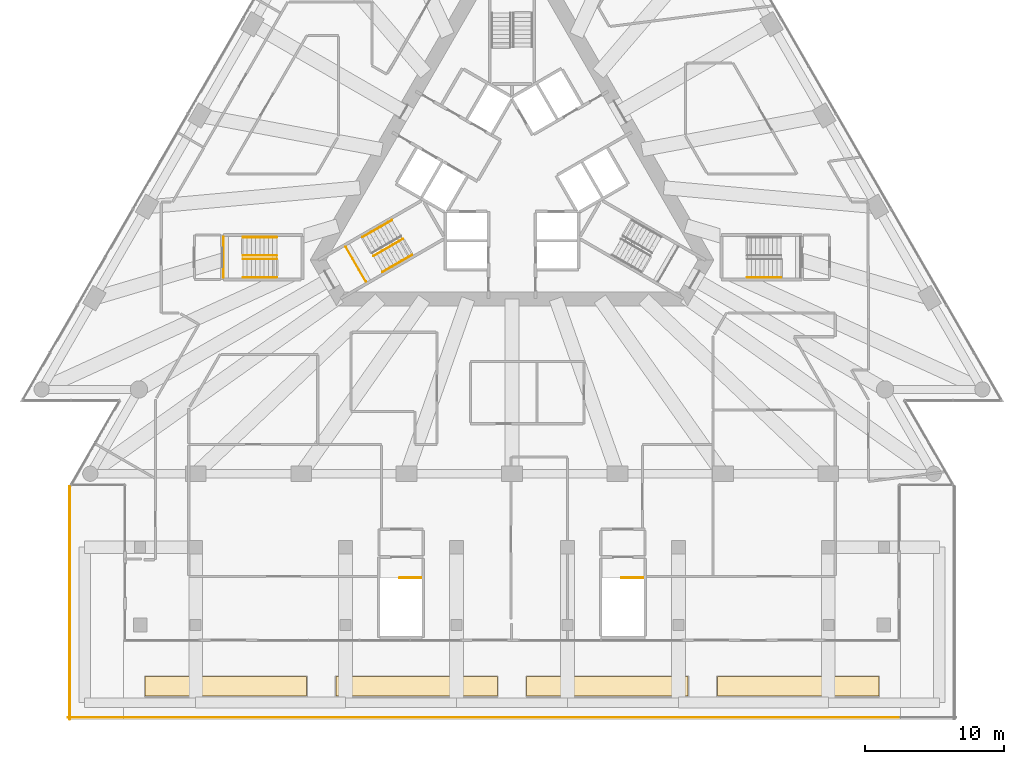
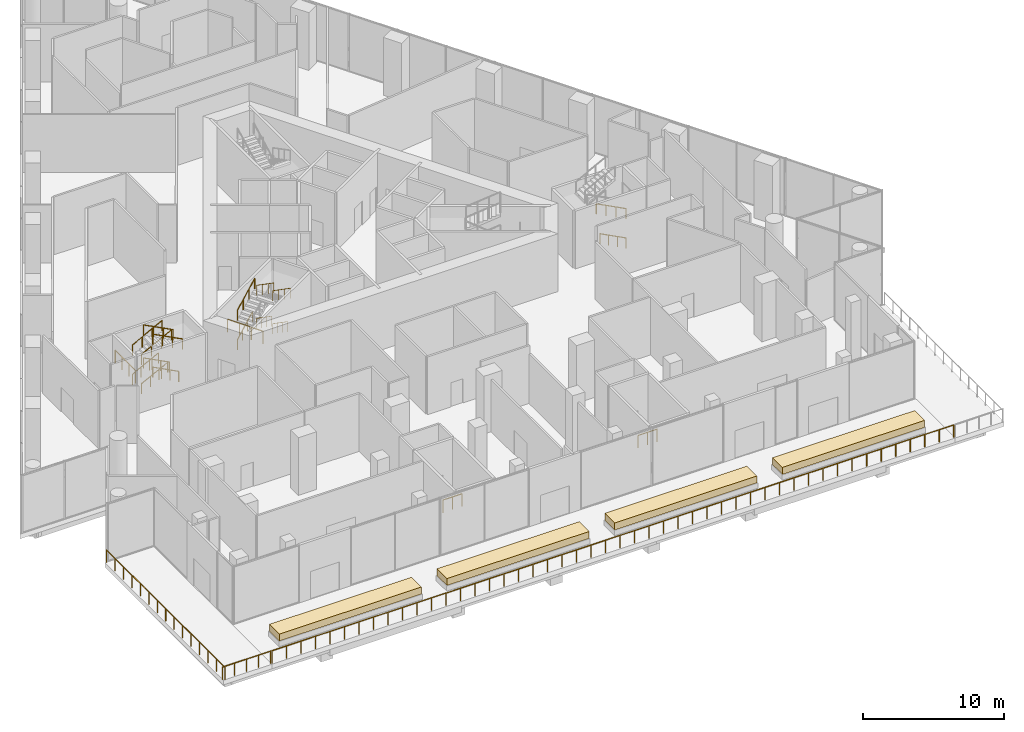
# One storey, part 28 of 29: 23 railings, 4 coverings, 3 elements without a shape of their own.
"""IFC4 building model written with IfcOpenShell, lengths in metres."""

from ifc_helpers import new_model, si_unit, direction, frame, origin, origin_2d, place, context, subcontext, project, spatial, polyline, circle, outline, extrude, material, layer, layer_set, type_object, element, aggregate, save


model = new_model("IFC4")

# Units and contexts
model_context = context("Model", 3, precision=1e-05, world=origin(), true_north=direction((0.0, 1.0)))
body_context = subcontext(model_context, "Body", "Model", "MODEL_VIEW")
ifc_project = project(units=[si_unit("LENGTHUNIT", "METRE"), si_unit("AREAUNIT", "SQUARE_METRE"), si_unit("VOLUMEUNIT", "CUBIC_METRE"), si_unit("PLANEANGLEUNIT", "RADIAN"), si_unit("MASSUNIT", "GRAM", prefix="KILO")], contexts=[model_context])

# Site, building, storey
site_placement = place(None, origin())
site = spatial("IfcSite", under=ifc_project, at=site_placement, CompositionType="ELEMENT")
building_placement = place(site_placement, origin())
building = spatial("IfcBuilding", under=site, at=building_placement, Name="Triada Interchange Tower", CompositionType="ELEMENT")
storey_placement = place(building_placement, frame((0.0, 0.0, 19.89990234375)))
storey = spatial("IfcBuildingStorey", under=building, at=storey_placement, Name="L03", CompositionType="ELEMENT", Elevation=19.89990234375)

# Coverings
ifc_material_1 = material(Name="Planting soil")
ifc_layer = layer(ifc_material_1, 0.60009765625)
ifc_layer_set = layer_set([ifc_layer], Name="Planting bed 600")
covering_type = type_object("IfcCoveringType", Name="Planting bed 600", PredefinedType="FLOORING", material=ifc_layer_set)
covering_1_placement = place(storey_placement, frame((0.0, 0.0, 0.4501953125)))
element("IfcCovering", 1, at=covering_1_placement, inside=storey, type_object=covering_type, Name="Planting bed PLANTER L03 12", PredefinedType="FLOORING", context=body_context, shape_type="SweptSolid", body=[
    extrude(outline(polyline([(-26.449951171875, -37.6298828125), (-14.800048828125, -37.6298828125), (-14.800048828125, -36.22998046875), (-26.449951171875, -36.22998046875), (-26.449951171875, -37.6298828125)])), origin(), (0.0, 0.0, 1.0), 0.599853515625),
])
covering_2_placement = place(storey_placement, frame((0.0, 0.0, 0.4501953125)))
element("IfcCovering", 2, at=covering_2_placement, inside=storey, type_object=covering_type, Name="Planting bed PLANTER L03 13", PredefinedType="FLOORING", context=body_context, shape_type="SweptSolid", body=[
    extrude(outline(polyline([(-12.699951171875, -37.6298828125), (-1.050048828125, -37.6298828125), (-1.050048828125, -36.22998046875), (-12.699951171875, -36.22998046875), (-12.699951171875, -37.6298828125)])), origin(), (0.0, 0.0, 1.0), 0.599853515625),
])
covering_3_placement = place(storey_placement, frame((0.0, 0.0, 0.4501953125)))
element("IfcCovering", 3, at=covering_3_placement, inside=storey, type_object=covering_type, Name="Planting bed PLANTER L03 14", PredefinedType="FLOORING", context=body_context, shape_type="SweptSolid", body=[
    extrude(outline(polyline([(1.050048828125, -37.6298828125), (12.699951171875, -37.6298828125), (12.699951171875, -36.22998046875), (1.050048828125, -36.22998046875), (1.050048828125, -37.6298828125)])), origin(), (0.0, 0.0, 1.0), 0.599853515625),
])
covering_4_placement = place(storey_placement, frame((0.0, 0.0, 0.4501953125)))
element("IfcCovering", 4, at=covering_4_placement, inside=storey, type_object=covering_type, Name="Planting bed PLANTER L03 15", PredefinedType="FLOORING", context=body_context, shape_type="SweptSolid", body=[
    extrude(outline(polyline([(14.800048828125, -37.6298828125), (26.449951171875, -37.6298828125), (26.449951171875, -36.22998046875), (14.800048828125, -36.22998046875), (14.800048828125, -37.6298828125)])), origin(), (0.0, 0.0, 1.0), 0.599853515625),
])

# Stair, railing
ifc_material_2 = material(Name="Concrete C35/45", Category="concrete")
stair_type = type_object("IfcStairType", Name="HALF TURN STAIR 1400", PredefinedType="HALF_TURN_STAIR", material=ifc_material_2)
stair_1_placement = place(storey_placement, origin())
stair_1 = element("IfcStair", 5, at=stair_1_placement, inside=storey, type_object=stair_type, Name="Exit stair S03-2", PredefinedType="HALF_TURN_STAIR")
ifc_material_3 = material(Name="Stainless steel 1.4301", Category="steel")
railing_type_1 = type_object("IfcRailingType", Name="STAIR GUARD 1100", PredefinedType="GUARDRAIL", material=ifc_material_3)
railing_1_placement = place(storey_placement, frame((-11.98291015625, -5.243896484375, 2.541259765625)))
railing_1 = element("IfcRailing", 6, at=railing_1_placement, type_object=railing_type_1, Name="Guard S03-2 1", PredefinedType="GUARDRAIL", context=body_context, shape_type="SweptSolid", body=[
    extrude(circle(Radius=0.02392578125, at=origin_2d()), frame((0.0, 0.0, 1.076171875), z_axis=(0.499877891294, -0.866095891802, 0.0), x_axis=(0.866095891802, 0.499877891294, 0.0)), (0.0, 0.0, 1.0), 2.900634765625),
    extrude(circle(Radius=0.02099609375, at=origin_2d()), origin(), (0.0, 0.0, 1.0), 1.052001953125),
    extrude(circle(Radius=0.02099609375, at=origin_2d()), frame((0.4833984375, -0.83740234375, 0.0)), (0.0, 0.0, 1.0), 1.052001953125),
    extrude(circle(Radius=0.02099609375, at=origin_2d()), frame((0.966552734375, -1.6748046875, 0.0)), (0.0, 0.0, 1.0), 1.052001953125),
    extrude(circle(Radius=0.02099609375, at=origin_2d()), frame((1.449951171875, -2.51220703125, 0.0)), (0.0, 0.0, 1.0), 1.052001953125),
])

stair_2_placement = place(storey_placement, origin())
stair_2 = element("IfcStair", 7, at=stair_2_placement, inside=storey, type_object=stair_type, Name="Exit stair S03-6", PredefinedType="HALF_TURN_STAIR")
railing_2_placement = place(storey_placement, frame((-20.800048828125, -4.550048828125, 2.541259765625)))
railing_2 = element("IfcRailing", 8, at=railing_2_placement, type_object=railing_type_1, Name="Guard S03-6 1", PredefinedType="GUARDRAIL", context=body_context, shape_type="SweptSolid", body=[
    extrude(circle(Radius=0.02392578125, at=origin_2d()), frame((0.0, 0.0, 1.076171875), z_axis=(0.0, -1.0, 0.0), x_axis=(1.0, 0.0, 0.0)), (0.0, 0.0, 1.0), 2.89990234375),
    extrude(circle(Radius=0.02099609375, at=origin_2d()), origin(), (0.0, 0.0, 1.0), 1.052001953125),
    extrude(circle(Radius=0.02099609375, at=origin_2d()), frame((0.0, -0.966552734375, 0.0)), (0.0, 0.0, 1.0), 1.052001953125),
    extrude(circle(Radius=0.02099609375, at=origin_2d()), frame((0.0, -1.933349609375, 0.0)), (0.0, 0.0, 1.0), 1.052001953125),
    extrude(circle(Radius=0.02099609375, at=origin_2d()), frame((0.0, -2.89990234375, 0.0)), (0.0, 0.0, 1.0), 1.052001953125),
])

# Railings
for number, where, name in (
    (9, (9.449951171875, -29.10009765625, 0.0), "Guard well PX7 L03"),
    (10, (-6.550048828125, -29.10009765625, 0.0), "Guard well PX8 L03"),
):
    element("IfcRailing", number, at=place(storey_placement, frame(where)), inside=storey, type_object=railing_type_1, Name=name, PredefinedType="GUARDRAIL", context=body_context, shape_type="SweptSolid", body=[
        extrude(circle(Radius=0.02392578125, at=origin_2d()), frame((0.0, 0.0, 1.076171875), z_axis=(-1.0, 0.0, 0.0), x_axis=(0.0, -1.0, 0.0)), (0.0, 0.0, 1.0), 1.550048828125),
        extrude(circle(Radius=0.02099609375, at=origin_2d()), origin(), (0.0, 0.0, 1.0), 1.052001953125),
        extrude(circle(Radius=0.02099609375, at=origin_2d()), frame((-0.77490234375, 0.0, 0.0)), (0.0, 0.0, 1.0), 1.052001953125),
        extrude(circle(Radius=0.02099609375, at=origin_2d()), frame((-1.550048828125, 0.0, 0.0)), (0.0, 0.0, 1.0), 1.052001953125),
    ])

# Railing
railing_type_2 = type_object("IfcRailingType", Name="STAIR HANDRAIL 900", PredefinedType="HANDRAIL", material=ifc_material_3)
railing_3_placement = place(storey_placement, frame((-10.77099609375, -4.5439453125, 0.158935546875)))
railing_3 = element("IfcRailing", 11, at=railing_3_placement, type_object=railing_type_2, Name="Handrail S03-2 1W", PredefinedType="HANDRAIL", context=body_context, shape_type="SweptSolid", body=[
    extrude(circle(Radius=0.02392578125, at=origin_2d()), frame((0.0, 0.0, 0.8759765625), z_axis=(0.768184922783, 0.443281145195, 0.461945614466), x_axis=(-0.499804961432, 0.866137980075, 0.0)), (0.0, 0.0, 1.0), 2.40673828125),
    extrude(circle(Radius=0.02099609375, at=origin_2d()), origin(), (0.0, 0.0, 1.0), 0.851806640625),
    extrude(circle(Radius=0.02099609375, at=origin_2d()), frame((0.6162109375, 0.355712890625, 0.37060546875)), (0.0, 0.0, 1.0), 0.851806640625),
    extrude(circle(Radius=0.02099609375, at=origin_2d()), frame((1.232666015625, 0.711181640625, 0.7412109375)), (0.0, 0.0, 1.0), 0.851806640625),
    extrude(circle(Radius=0.02099609375, at=origin_2d()), frame((1.848876953125, 1.06689453125, 1.11181640625)), (0.0, 0.0, 1.0), 0.851806640625),
])

railing_4_placement = place(storey_placement, frame((-7.471923828125, -5.988037109375, 1.429443359375)))
railing_4 = element("IfcRailing", 12, at=railing_4_placement, type_object=railing_type_2, Name="Handrail S03-2 2W", PredefinedType="HANDRAIL", context=body_context, shape_type="SweptSolid", body=[
    extrude(circle(Radius=0.02392578125, at=origin_2d()), frame((0.0, 0.0, 0.8759765625), z_axis=(-0.768226496267, -0.443246605319, 0.46190962028), x_axis=(0.499755453942, -0.866166546488, 0.0)), (0.0, 0.0, 1.0), 2.406982421875),
    extrude(circle(Radius=0.02099609375, at=origin_2d()), origin(), (0.0, 0.0, 1.0), 0.851806640625),
    extrude(circle(Radius=0.02099609375, at=origin_2d()), frame((-0.616455078125, -0.355712890625, 0.37060546875)), (0.0, 0.0, 1.0), 0.851806640625),
    extrude(circle(Radius=0.02099609375, at=origin_2d()), frame((-1.232666015625, -0.711181640625, 0.7412109375)), (0.0, 0.0, 1.0), 0.851806640625),
    extrude(circle(Radius=0.02099609375, at=origin_2d()), frame((-1.84912109375, -1.06689453125, 1.11181640625)), (0.0, 0.0, 1.0), 0.851806640625),
])

railing_5_placement = place(storey_placement, frame((-8.136962890625, -4.8359375, 1.429443359375)))
railing_5 = element("IfcRailing", 13, at=railing_5_placement, type_object=railing_type_2, Name="Handrail S03-2 2C", PredefinedType="HANDRAIL", context=body_context, shape_type="SweptSolid", body=[
    extrude(circle(Radius=0.02392578125, at=origin_2d()), frame((0.0, 0.0, 0.8759765625), z_axis=(-0.768053765152, -0.443653977098, 0.461805762675), x_axis=(0.500184261807, -0.865918994041, 0.0)), (0.0, 0.0, 1.0), 2.407470703125),
    extrude(circle(Radius=0.02099609375, at=origin_2d()), origin(), (0.0, 0.0, 1.0), 0.851806640625),
    extrude(circle(Radius=0.02099609375, at=origin_2d()), frame((-0.616455078125, -0.35595703125, 0.37060546875)), (0.0, 0.0, 1.0), 0.851806640625),
    extrude(circle(Radius=0.02099609375, at=origin_2d()), frame((-1.232666015625, -0.712158203125, 0.7412109375)), (0.0, 0.0, 1.0), 0.851806640625),
    extrude(circle(Radius=0.02099609375, at=origin_2d()), frame((-1.84912109375, -1.068115234375, 1.11181640625)), (0.0, 0.0, 1.0), 0.851806640625),
])

railing_6_placement = place(storey_placement, frame((-10.77099609375, -4.5439453125, 2.699951171875)))
railing_6 = element("IfcRailing", 14, at=railing_6_placement, type_object=railing_type_2, Name="Handrail S03-2 3W", PredefinedType="HANDRAIL", context=body_context, shape_type="SweptSolid", body=[
    extrude(circle(Radius=0.02392578125, at=origin_2d()), frame((0.0, 0.0, 0.8759765625), z_axis=(0.768094581308, 0.443462579179, 0.461921697945), x_axis=(-0.500002508028, 0.866023955769, 0.0)), (0.0, 0.0, 1.0), 2.7509765625),
    extrude(circle(Radius=0.02099609375, at=origin_2d()), origin(), (0.0, 0.0, 1.0), 0.851806640625),
    extrude(circle(Radius=0.02099609375, at=origin_2d()), frame((0.704345703125, 0.40673828125, 0.423583984375)), (0.0, 0.0, 1.0), 0.851806640625),
    extrude(circle(Radius=0.02099609375, at=origin_2d()), frame((1.40869140625, 0.813232421875, 0.84716796875)), (0.0, 0.0, 1.0), 0.851806640625),
    extrude(circle(Radius=0.02099609375, at=origin_2d()), frame((2.113037109375, 1.219970703125, 1.270751953125)), (0.0, 0.0, 1.0), 0.851806640625),
])

railing_7_placement = place(storey_placement, frame((-7.2080078125, -5.8359375, 4.12939453125)))
railing_7 = element("IfcRailing", 15, at=railing_7_placement, type_object=railing_type_2, Name="Handrail S03-2 4W", PredefinedType="HANDRAIL", context=body_context, shape_type="SweptSolid", body=[
    extrude(circle(Radius=0.02392578125, at=origin_2d()), frame((0.0, 0.0, 0.8759765625), z_axis=(-0.768126067177, -0.443480757676, 0.461851883719), x_axis=(0.500002508028, -0.866023955769, 0.0)), (0.0, 0.0, 1.0), 2.7509765625),
    extrude(circle(Radius=0.02099609375, at=origin_2d()), origin(), (0.0, 0.0, 1.0), 0.851806640625),
    extrude(circle(Radius=0.02099609375, at=origin_2d()), frame((-0.704345703125, -0.40673828125, 0.423583984375)), (0.0, 0.0, 1.0), 0.851806640625),
    extrude(circle(Radius=0.02099609375, at=origin_2d()), frame((-1.40869140625, -0.813232421875, 0.846923828125)), (0.0, 0.0, 1.0), 0.851806640625),
    extrude(circle(Radius=0.02099609375, at=origin_2d()), frame((-2.113037109375, -1.219970703125, 1.2705078125)), (0.0, 0.0, 1.0), 0.851806640625),
])

railing_8_placement = place(storey_placement, frame((-7.873046875, -4.68408203125, 4.12939453125)))
railing_8 = element("IfcRailing", 16, at=railing_8_placement, type_object=railing_type_2, Name="Handrail S03-2 4C", PredefinedType="HANDRAIL", context=body_context, shape_type="SweptSolid", body=[
    extrude(circle(Radius=0.02392578125, at=origin_2d()), frame((0.0, 0.0, 0.8759765625), z_axis=(-0.768126067177, -0.443480757676, 0.461851883719), x_axis=(0.500002508028, -0.866023955769, 0.0)), (0.0, 0.0, 1.0), 2.7509765625),
    extrude(circle(Radius=0.02099609375, at=origin_2d()), origin(), (0.0, 0.0, 1.0), 0.851806640625),
    extrude(circle(Radius=0.02099609375, at=origin_2d()), frame((-0.704345703125, -0.40673828125, 0.423583984375)), (0.0, 0.0, 1.0), 0.851806640625),
    extrude(circle(Radius=0.02099609375, at=origin_2d()), frame((-1.40869140625, -0.813232421875, 0.846923828125)), (0.0, 0.0, 1.0), 0.851806640625),
    extrude(circle(Radius=0.02099609375, at=origin_2d()), frame((-2.113037109375, -1.219970703125, 1.2705078125)), (0.0, 0.0, 1.0), 0.851806640625),
])

aggregate(stair_1, [railing_3, railing_4, railing_5, railing_6, railing_7, railing_8, railing_1])

railing_9_placement = place(storey_placement, frame((-19.39990234375, -4.550048828125, 0.158935546875)))
railing_9 = element("IfcRailing", 17, at=railing_9_placement, type_object=railing_type_2, Name="Handrail S03-6 1W", PredefinedType="HANDRAIL", context=body_context, shape_type="SweptSolid", body=[
    extrude(circle(Radius=0.02392578125, at=origin_2d()), frame((0.0, 0.0, 0.8759765625), z_axis=(0.886942649844, 0.0, 0.461879568598), x_axis=(0.0, 1.0, 0.0)), (0.0, 0.0, 1.0), 2.4072265625),
    extrude(circle(Radius=0.02099609375, at=origin_2d()), origin(), (0.0, 0.0, 1.0), 0.851806640625),
    extrude(circle(Radius=0.02099609375, at=origin_2d()), frame((0.711669921875, 0.0, 0.37060546875)), (0.0, 0.0, 1.0), 0.851806640625),
    extrude(circle(Radius=0.02099609375, at=origin_2d()), frame((1.42333984375, 0.0, 0.7412109375)), (0.0, 0.0, 1.0), 0.851806640625),
    extrude(circle(Radius=0.02099609375, at=origin_2d()), frame((2.135009765625, 0.0, 1.11181640625)), (0.0, 0.0, 1.0), 0.851806640625),
])

railing_10_placement = place(storey_placement, frame((-19.39990234375, -5.8798828125, 0.158935546875)))
railing_10 = element("IfcRailing", 18, at=railing_10_placement, type_object=railing_type_2, Name="Handrail S03-6 1C", PredefinedType="HANDRAIL", context=body_context, shape_type="SweptSolid", body=[
    extrude(circle(Radius=0.02392578125, at=origin_2d()), frame((0.0, 0.0, 0.8759765625), z_axis=(0.886942649844, 0.0, 0.461879568598), x_axis=(0.0, 1.0, 0.0)), (0.0, 0.0, 1.0), 2.4072265625),
    extrude(circle(Radius=0.02099609375, at=origin_2d()), origin(), (0.0, 0.0, 1.0), 0.851806640625),
    extrude(circle(Radius=0.02099609375, at=origin_2d()), frame((0.711669921875, 0.0, 0.37060546875)), (0.0, 0.0, 1.0), 0.851806640625),
    extrude(circle(Radius=0.02099609375, at=origin_2d()), frame((1.42333984375, 0.0, 0.7412109375)), (0.0, 0.0, 1.0), 0.851806640625),
    extrude(circle(Radius=0.02099609375, at=origin_2d()), frame((2.135009765625, 0.0, 1.11181640625)), (0.0, 0.0, 1.0), 0.851806640625),
])

railing_11_placement = place(storey_placement, frame((-17.264892578125, -7.449951171875, 1.429443359375)))
railing_11 = element("IfcRailing", 19, at=railing_11_placement, type_object=railing_type_2, Name="Handrail S03-6 2W", PredefinedType="HANDRAIL", context=body_context, shape_type="SweptSolid", body=[
    extrude(circle(Radius=0.02392578125, at=origin_2d()), frame((0.0, 0.0, 0.8759765625), z_axis=(-0.886942649844, 0.0, 0.461879568598), x_axis=(0.0, -1.0, 0.0)), (0.0, 0.0, 1.0), 2.4072265625),
    extrude(circle(Radius=0.02099609375, at=origin_2d()), origin(), (0.0, 0.0, 1.0), 0.851806640625),
    extrude(circle(Radius=0.02099609375, at=origin_2d()), frame((-0.711669921875, 0.0, 0.37060546875)), (0.0, 0.0, 1.0), 0.851806640625),
    extrude(circle(Radius=0.02099609375, at=origin_2d()), frame((-1.42333984375, 0.0, 0.7412109375)), (0.0, 0.0, 1.0), 0.851806640625),
    extrude(circle(Radius=0.02099609375, at=origin_2d()), frame((-2.135009765625, 0.0, 1.11181640625)), (0.0, 0.0, 1.0), 0.851806640625),
])

railing_12_placement = place(storey_placement, frame((-17.264892578125, -6.1201171875, 1.429443359375)))
railing_12 = element("IfcRailing", 20, at=railing_12_placement, type_object=railing_type_2, Name="Handrail S03-6 2C", PredefinedType="HANDRAIL", context=body_context, shape_type="SweptSolid", body=[
    extrude(circle(Radius=0.02392578125, at=origin_2d()), frame((0.0, 0.0, 0.8759765625), z_axis=(-0.886942649844, 0.0, 0.461879568598), x_axis=(0.0, -1.0, 0.0)), (0.0, 0.0, 1.0), 2.4072265625),
    extrude(circle(Radius=0.02099609375, at=origin_2d()), origin(), (0.0, 0.0, 1.0), 0.851806640625),
    extrude(circle(Radius=0.02099609375, at=origin_2d()), frame((-0.711669921875, 0.0, 0.37060546875)), (0.0, 0.0, 1.0), 0.851806640625),
    extrude(circle(Radius=0.02099609375, at=origin_2d()), frame((-1.42333984375, 0.0, 0.7412109375)), (0.0, 0.0, 1.0), 0.851806640625),
    extrude(circle(Radius=0.02099609375, at=origin_2d()), frame((-2.135009765625, 0.0, 1.11181640625)), (0.0, 0.0, 1.0), 0.851806640625),
])

railing_13_placement = place(storey_placement, frame((-19.39990234375, -4.550048828125, 2.699951171875)))
railing_13 = element("IfcRailing", 21, at=railing_13_placement, type_object=railing_type_2, Name="Handrail S03-6 3W", PredefinedType="HANDRAIL", context=body_context, shape_type="SweptSolid", body=[
    extrude(circle(Radius=0.02392578125, at=origin_2d()), frame((0.0, 0.0, 0.8759765625), z_axis=(0.886921658767, 0.0, 0.461919875314), x_axis=(0.0, 1.0, 0.0)), (0.0, 0.0, 1.0), 2.7509765625),
    extrude(circle(Radius=0.02099609375, at=origin_2d()), origin(), (0.0, 0.0, 1.0), 0.851806640625),
    extrude(circle(Radius=0.02099609375, at=origin_2d()), frame((0.813232421875, 0.0, 0.423583984375)), (0.0, 0.0, 1.0), 0.851806640625),
    extrude(circle(Radius=0.02099609375, at=origin_2d()), frame((1.626708984375, 0.0, 0.84716796875)), (0.0, 0.0, 1.0), 0.851806640625),
    extrude(circle(Radius=0.02099609375, at=origin_2d()), frame((2.43994140625, 0.0, 1.270751953125)), (0.0, 0.0, 1.0), 0.851806640625),
])

railing_14_placement = place(storey_placement, frame((-19.39990234375, -5.8798828125, 2.699951171875)))
railing_14 = element("IfcRailing", 22, at=railing_14_placement, type_object=railing_type_2, Name="Handrail S03-6 3C", PredefinedType="HANDRAIL", context=body_context, shape_type="SweptSolid", body=[
    extrude(circle(Radius=0.02392578125, at=origin_2d()), frame((0.0, 0.0, 0.8759765625), z_axis=(0.886921658767, 0.0, 0.461919875314), x_axis=(0.0, 1.0, 0.0)), (0.0, 0.0, 1.0), 2.7509765625),
    extrude(circle(Radius=0.02099609375, at=origin_2d()), origin(), (0.0, 0.0, 1.0), 0.851806640625),
    extrude(circle(Radius=0.02099609375, at=origin_2d()), frame((0.813232421875, 0.0, 0.423583984375)), (0.0, 0.0, 1.0), 0.851806640625),
    extrude(circle(Radius=0.02099609375, at=origin_2d()), frame((1.626708984375, 0.0, 0.84716796875)), (0.0, 0.0, 1.0), 0.851806640625),
    extrude(circle(Radius=0.02099609375, at=origin_2d()), frame((2.43994140625, 0.0, 1.270751953125)), (0.0, 0.0, 1.0), 0.851806640625),
])

railing_15_placement = place(storey_placement, frame((-16.9599609375, -7.449951171875, 4.12939453125)))
railing_15 = element("IfcRailing", 23, at=railing_15_placement, type_object=railing_type_2, Name="Handrail S03-6 4W", PredefinedType="HANDRAIL", context=body_context, shape_type="SweptSolid", body=[
    extrude(circle(Radius=0.02392578125, at=origin_2d()), frame((0.0, 0.0, 0.8759765625), z_axis=(-0.886958015329, 0.0, 0.461850061214), x_axis=(0.0, -1.0, 0.0)), (0.0, 0.0, 1.0), 2.7509765625),
    extrude(circle(Radius=0.02099609375, at=origin_2d()), origin(), (0.0, 0.0, 1.0), 0.851806640625),
    extrude(circle(Radius=0.02099609375, at=origin_2d()), frame((-0.813232421875, 0.0, 0.423583984375)), (0.0, 0.0, 1.0), 0.851806640625),
    extrude(circle(Radius=0.02099609375, at=origin_2d()), frame((-1.626708984375, 0.0, 0.846923828125)), (0.0, 0.0, 1.0), 0.851806640625),
    extrude(circle(Radius=0.02099609375, at=origin_2d()), frame((-2.43994140625, 0.0, 1.2705078125)), (0.0, 0.0, 1.0), 0.851806640625),
])

railing_16_placement = place(storey_placement, frame((-16.9599609375, -6.1201171875, 4.12939453125)))
railing_16 = element("IfcRailing", 24, at=railing_16_placement, type_object=railing_type_2, Name="Handrail S03-6 4C", PredefinedType="HANDRAIL", context=body_context, shape_type="SweptSolid", body=[
    extrude(circle(Radius=0.02392578125, at=origin_2d()), frame((0.0, 0.0, 0.8759765625), z_axis=(-0.886958015329, 0.0, 0.461850061214), x_axis=(0.0, -1.0, 0.0)), (0.0, 0.0, 1.0), 2.7509765625),
    extrude(circle(Radius=0.02099609375, at=origin_2d()), origin(), (0.0, 0.0, 1.0), 0.851806640625),
    extrude(circle(Radius=0.02099609375, at=origin_2d()), frame((-0.813232421875, 0.0, 0.423583984375)), (0.0, 0.0, 1.0), 0.851806640625),
    extrude(circle(Radius=0.02099609375, at=origin_2d()), frame((-1.626708984375, 0.0, 0.846923828125)), (0.0, 0.0, 1.0), 0.851806640625),
    extrude(circle(Radius=0.02099609375, at=origin_2d()), frame((-2.43994140625, 0.0, 1.2705078125)), (0.0, 0.0, 1.0), 0.851806640625),
])

aggregate(stair_2, [railing_9, railing_10, railing_11, railing_12, railing_13, railing_14, railing_15, railing_16, railing_2])

# Stair, railings
stair_3_placement = place(storey_placement, origin())
stair_3 = element("IfcStair", 25, at=stair_3_placement, inside=storey, type_object=stair_type, Name="Exit stair S03-7", PredefinedType="HALF_TURN_STAIR")
railing_17_placement = place(storey_placement, frame((19.39990234375, -7.449951171875, 0.158935546875)))
railing_17 = element("IfcRailing", 26, at=railing_17_placement, type_object=railing_type_2, Name="Handrail S03-7 1W", PredefinedType="HANDRAIL", context=body_context, shape_type="SweptSolid", body=[
    extrude(circle(Radius=0.02392578125, at=origin_2d()), frame((0.0, 0.0, 0.8759765625), z_axis=(-0.886942649844, 0.0, 0.461879568598), x_axis=(0.0, -1.0, 0.0)), (0.0, 0.0, 1.0), 2.4072265625),
    extrude(circle(Radius=0.02099609375, at=origin_2d()), origin(), (0.0, 0.0, 1.0), 0.851806640625),
    extrude(circle(Radius=0.02099609375, at=origin_2d()), frame((-0.711669921875, 0.0, 0.37060546875)), (0.0, 0.0, 1.0), 0.851806640625),
    extrude(circle(Radius=0.02099609375, at=origin_2d()), frame((-1.42333984375, 0.0, 0.7412109375)), (0.0, 0.0, 1.0), 0.851806640625),
    extrude(circle(Radius=0.02099609375, at=origin_2d()), frame((-2.135009765625, 0.0, 1.11181640625)), (0.0, 0.0, 1.0), 0.851806640625),
])
railing_18_placement = place(storey_placement, frame((19.39990234375, -7.449951171875, 2.699951171875)))
railing_18 = element("IfcRailing", 27, at=railing_18_placement, type_object=railing_type_2, Name="Handrail S03-7 3W", PredefinedType="HANDRAIL", context=body_context, shape_type="SweptSolid", body=[
    extrude(circle(Radius=0.02392578125, at=origin_2d()), frame((0.0, 0.0, 0.8759765625), z_axis=(-0.886921658767, 0.0, 0.461919875314), x_axis=(0.0, -1.0, 0.0)), (0.0, 0.0, 1.0), 2.7509765625),
    extrude(circle(Radius=0.02099609375, at=origin_2d()), origin(), (0.0, 0.0, 1.0), 0.851806640625),
    extrude(circle(Radius=0.02099609375, at=origin_2d()), frame((-0.813232421875, 0.0, 0.423583984375)), (0.0, 0.0, 1.0), 0.851806640625),
    extrude(circle(Radius=0.02099609375, at=origin_2d()), frame((-1.626708984375, 0.0, 0.84716796875)), (0.0, 0.0, 1.0), 0.851806640625),
    extrude(circle(Radius=0.02099609375, at=origin_2d()), frame((-2.43994140625, 0.0, 1.270751953125)), (0.0, 0.0, 1.0), 0.851806640625),
])
aggregate(stair_3, [railing_17, railing_18])

# Railings
railing_type_3 = type_object("IfcRailingType", Name="Terrace guard 1100", PredefinedType="GUARDRAIL", material=ifc_material_3)
railing_19_placement = place(storey_placement, frame((-32.0, -39.179931640625, 0.0)))
element("IfcRailing", 28, at=railing_19_placement, inside=storey, type_object=railing_type_3, Name="Guard L03 terrace 15", PredefinedType="GUARDRAIL", context=body_context, shape_type="SweptSolid", body=[
    extrude(circle(Radius=0.02392578125, at=origin_2d()), frame((0.0, 0.0, 1.076171875), z_axis=(1.0, 0.0, 0.0), x_axis=(0.0, 1.0, 0.0)), (0.0, 0.0, 1.0), 3.949951171875),
    extrude(circle(Radius=0.02099609375, at=origin_2d()), origin(), (0.0, 0.0, 1.0), 1.052001953125),
    extrude(circle(Radius=0.02099609375, at=origin_2d()), frame((0.987548828125, 0.0, 0.0)), (0.0, 0.0, 1.0), 1.052001953125),
    extrude(circle(Radius=0.02099609375, at=origin_2d()), frame((1.97509765625, 0.0, 0.0)), (0.0, 0.0, 1.0), 1.052001953125),
    extrude(circle(Radius=0.02099609375, at=origin_2d()), frame((2.96240234375, 0.0, 0.0)), (0.0, 0.0, 1.0), 1.052001953125),
    extrude(circle(Radius=0.02099609375, at=origin_2d()), frame((3.949951171875, 0.0, 0.0)), (0.0, 0.0, 1.0), 1.052001953125),
])
railing_20_placement = place(storey_placement, frame((-31.8798828125, -22.52392578125, 0.0)))
element("IfcRailing", 29, at=railing_20_placement, inside=storey, type_object=railing_type_3, Name="Guard L03 terrace 16", PredefinedType="GUARDRAIL", context=body_context, shape_type="SweptSolid", body=[
    extrude(circle(Radius=0.02392578125, at=origin_2d()), frame((0.0, 0.0, 1.076171875), z_axis=(0.0, -1.0, 0.0), x_axis=(1.0, 0.0, 0.0)), (0.0, 0.0, 1.0), 16.776123046875),
    extrude(circle(Radius=0.02099609375, at=origin_2d()), origin(), (0.0, 0.0, 1.0), 1.052001953125),
    extrude(circle(Radius=0.02099609375, at=origin_2d()), frame((0.0, -1.1982421875, 0.0)), (0.0, 0.0, 1.0), 1.052001953125),
    extrude(circle(Radius=0.02099609375, at=origin_2d()), frame((0.0, -2.396484375, 0.0)), (0.0, 0.0, 1.0), 1.052001953125),
    extrude(circle(Radius=0.02099609375, at=origin_2d()), frame((0.0, -3.594970703125, 0.0)), (0.0, 0.0, 1.0), 1.052001953125),
    extrude(circle(Radius=0.02099609375, at=origin_2d()), frame((0.0, -4.793212890625, 0.0)), (0.0, 0.0, 1.0), 1.052001953125),
    extrude(circle(Radius=0.02099609375, at=origin_2d()), frame((0.0, -5.991455078125, 0.0)), (0.0, 0.0, 1.0), 1.052001953125),
    extrude(circle(Radius=0.02099609375, at=origin_2d()), frame((0.0, -7.189697265625, 0.0)), (0.0, 0.0, 1.0), 1.052001953125),
    extrude(circle(Radius=0.02099609375, at=origin_2d()), frame((0.0, -8.38818359375, 0.0)), (0.0, 0.0, 1.0), 1.052001953125),
    extrude(circle(Radius=0.02099609375, at=origin_2d()), frame((0.0, -9.58642578125, 0.0)), (0.0, 0.0, 1.0), 1.052001953125),
    extrude(circle(Radius=0.02099609375, at=origin_2d()), frame((0.0, -10.78466796875, 0.0)), (0.0, 0.0, 1.0), 1.052001953125),
    extrude(circle(Radius=0.02099609375, at=origin_2d()), frame((0.0, -11.98291015625, 0.0)), (0.0, 0.0, 1.0), 1.052001953125),
    extrude(circle(Radius=0.02099609375, at=origin_2d()), frame((0.0, -13.18115234375, 0.0)), (0.0, 0.0, 1.0), 1.052001953125),
    extrude(circle(Radius=0.02099609375, at=origin_2d()), frame((0.0, -14.379638671875, 0.0)), (0.0, 0.0, 1.0), 1.052001953125),
    extrude(circle(Radius=0.02099609375, at=origin_2d()), frame((0.0, -15.577880859375, 0.0)), (0.0, 0.0, 1.0), 1.052001953125),
    extrude(circle(Radius=0.02099609375, at=origin_2d()), frame((0.0, -16.776123046875, 0.0)), (0.0, 0.0, 1.0), 1.052001953125),
])
railing_21_placement = place(storey_placement, frame((-27.949951171875, -39.179931640625, 0.0)))
element("IfcRailing", 30, at=railing_21_placement, inside=storey, type_object=railing_type_3, Name="Guard L03 terrace 19", PredefinedType="GUARDRAIL", context=body_context, shape_type="SweptSolid", body=[
    extrude(circle(Radius=0.02392578125, at=origin_2d()), frame((0.0, 0.0, 1.076171875), z_axis=(1.0, 0.0, 0.0), x_axis=(0.0, 1.0, 0.0)), (0.0, 0.0, 1.0), 55.89990234375),
    extrude(circle(Radius=0.02099609375, at=origin_2d()), origin(), (0.0, 0.0, 1.0), 1.052001953125),
    extrude(circle(Radius=0.02099609375, at=origin_2d()), frame((1.189453125, 0.0, 0.0)), (0.0, 0.0, 1.0), 1.052001953125),
    extrude(circle(Radius=0.02099609375, at=origin_2d()), frame((2.378662109375, 0.0, 0.0)), (0.0, 0.0, 1.0), 1.052001953125),
    extrude(circle(Radius=0.02099609375, at=origin_2d()), frame((3.568115234375, 0.0, 0.0)), (0.0, 0.0, 1.0), 1.052001953125),
    extrude(circle(Radius=0.02099609375, at=origin_2d()), frame((4.75732421875, 0.0, 0.0)), (0.0, 0.0, 1.0), 1.052001953125),
    extrude(circle(Radius=0.02099609375, at=origin_2d()), frame((5.94677734375, 0.0, 0.0)), (0.0, 0.0, 1.0), 1.052001953125),
    extrude(circle(Radius=0.02099609375, at=origin_2d()), frame((7.13623046875, 0.0, 0.0)), (0.0, 0.0, 1.0), 1.052001953125),
    extrude(circle(Radius=0.02099609375, at=origin_2d()), frame((8.325439453125, 0.0, 0.0)), (0.0, 0.0, 1.0), 1.052001953125),
    extrude(circle(Radius=0.02099609375, at=origin_2d()), frame((9.514892578125, 0.0, 0.0)), (0.0, 0.0, 1.0), 1.052001953125),
    extrude(circle(Radius=0.02099609375, at=origin_2d()), frame((10.704345703125, 0.0, 0.0)), (0.0, 0.0, 1.0), 1.052001953125),
    extrude(circle(Radius=0.02099609375, at=origin_2d()), frame((11.8935546875, 0.0, 0.0)), (0.0, 0.0, 1.0), 1.052001953125),
    extrude(circle(Radius=0.02099609375, at=origin_2d()), frame((13.0830078125, 0.0, 0.0)), (0.0, 0.0, 1.0), 1.052001953125),
    extrude(circle(Radius=0.02099609375, at=origin_2d()), frame((14.272216796875, 0.0, 0.0)), (0.0, 0.0, 1.0), 1.052001953125),
    extrude(circle(Radius=0.02099609375, at=origin_2d()), frame((15.461669921875, 0.0, 0.0)), (0.0, 0.0, 1.0), 1.052001953125),
    extrude(circle(Radius=0.02099609375, at=origin_2d()), frame((16.651123046875, 0.0, 0.0)), (0.0, 0.0, 1.0), 1.052001953125),
    extrude(circle(Radius=0.02099609375, at=origin_2d()), frame((17.84033203125, 0.0, 0.0)), (0.0, 0.0, 1.0), 1.052001953125),
    extrude(circle(Radius=0.02099609375, at=origin_2d()), frame((19.02978515625, 0.0, 0.0)), (0.0, 0.0, 1.0), 1.052001953125),
    extrude(circle(Radius=0.02099609375, at=origin_2d()), frame((20.218994140625, 0.0, 0.0)), (0.0, 0.0, 1.0), 1.052001953125),
    extrude(circle(Radius=0.02099609375, at=origin_2d()), frame((21.408447265625, 0.0, 0.0)), (0.0, 0.0, 1.0), 1.052001953125),
    extrude(circle(Radius=0.02099609375, at=origin_2d()), frame((22.597900390625, 0.0, 0.0)), (0.0, 0.0, 1.0), 1.052001953125),
    extrude(circle(Radius=0.02099609375, at=origin_2d()), frame((23.787109375, 0.0, 0.0)), (0.0, 0.0, 1.0), 1.052001953125),
    extrude(circle(Radius=0.02099609375, at=origin_2d()), frame((24.9765625, 0.0, 0.0)), (0.0, 0.0, 1.0), 1.052001953125),
    extrude(circle(Radius=0.02099609375, at=origin_2d()), frame((26.166015625, 0.0, 0.0)), (0.0, 0.0, 1.0), 1.052001953125),
    extrude(circle(Radius=0.02099609375, at=origin_2d()), frame((27.355224609375, 0.0, 0.0)), (0.0, 0.0, 1.0), 1.052001953125),
    extrude(circle(Radius=0.02099609375, at=origin_2d()), frame((28.544677734375, 0.0, 0.0)), (0.0, 0.0, 1.0), 1.052001953125),
    extrude(circle(Radius=0.02099609375, at=origin_2d()), frame((29.73388671875, 0.0, 0.0)), (0.0, 0.0, 1.0), 1.052001953125),
    extrude(circle(Radius=0.02099609375, at=origin_2d()), frame((30.92333984375, 0.0, 0.0)), (0.0, 0.0, 1.0), 1.052001953125),
    extrude(circle(Radius=0.02099609375, at=origin_2d()), frame((32.11279296875, 0.0, 0.0)), (0.0, 0.0, 1.0), 1.052001953125),
    extrude(circle(Radius=0.02099609375, at=origin_2d()), frame((33.302001953125, 0.0, 0.0)), (0.0, 0.0, 1.0), 1.052001953125),
    extrude(circle(Radius=0.02099609375, at=origin_2d()), frame((34.491455078125, 0.0, 0.0)), (0.0, 0.0, 1.0), 1.052001953125),
    extrude(circle(Radius=0.02099609375, at=origin_2d()), frame((35.680908203125, 0.0, 0.0)), (0.0, 0.0, 1.0), 1.052001953125),
    extrude(circle(Radius=0.02099609375, at=origin_2d()), frame((36.8701171875, 0.0, 0.0)), (0.0, 0.0, 1.0), 1.052001953125),
    extrude(circle(Radius=0.02099609375, at=origin_2d()), frame((38.0595703125, 0.0, 0.0)), (0.0, 0.0, 1.0), 1.052001953125),
    extrude(circle(Radius=0.02099609375, at=origin_2d()), frame((39.248779296875, 0.0, 0.0)), (0.0, 0.0, 1.0), 1.052001953125),
    extrude(circle(Radius=0.02099609375, at=origin_2d()), frame((40.438232421875, 0.0, 0.0)), (0.0, 0.0, 1.0), 1.052001953125),
    extrude(circle(Radius=0.02099609375, at=origin_2d()), frame((41.627685546875, 0.0, 0.0)), (0.0, 0.0, 1.0), 1.052001953125),
    extrude(circle(Radius=0.02099609375, at=origin_2d()), frame((42.81689453125, 0.0, 0.0)), (0.0, 0.0, 1.0), 1.052001953125),
    extrude(circle(Radius=0.02099609375, at=origin_2d()), frame((44.00634765625, 0.0, 0.0)), (0.0, 0.0, 1.0), 1.052001953125),
    extrude(circle(Radius=0.02099609375, at=origin_2d()), frame((45.195556640625, 0.0, 0.0)), (0.0, 0.0, 1.0), 1.052001953125),
    extrude(circle(Radius=0.02099609375, at=origin_2d()), frame((46.385009765625, 0.0, 0.0)), (0.0, 0.0, 1.0), 1.052001953125),
    extrude(circle(Radius=0.02099609375, at=origin_2d()), frame((47.574462890625, 0.0, 0.0)), (0.0, 0.0, 1.0), 1.052001953125),
    extrude(circle(Radius=0.02099609375, at=origin_2d()), frame((48.763671875, 0.0, 0.0)), (0.0, 0.0, 1.0), 1.052001953125),
    extrude(circle(Radius=0.02099609375, at=origin_2d()), frame((49.953125, 0.0, 0.0)), (0.0, 0.0, 1.0), 1.052001953125),
    extrude(circle(Radius=0.02099609375, at=origin_2d()), frame((51.142578125, 0.0, 0.0)), (0.0, 0.0, 1.0), 1.052001953125),
    extrude(circle(Radius=0.02099609375, at=origin_2d()), frame((52.331787109375, 0.0, 0.0)), (0.0, 0.0, 1.0), 1.052001953125),
    extrude(circle(Radius=0.02099609375, at=origin_2d()), frame((53.521240234375, 0.0, 0.0)), (0.0, 0.0, 1.0), 1.052001953125),
    extrude(circle(Radius=0.02099609375, at=origin_2d()), frame((54.71044921875, 0.0, 0.0)), (0.0, 0.0, 1.0), 1.052001953125),
    extrude(circle(Radius=0.02099609375, at=origin_2d()), frame((55.89990234375, 0.0, 0.0)), (0.0, 0.0, 1.0), 1.052001953125),
])

save(model, "model.ifc")
